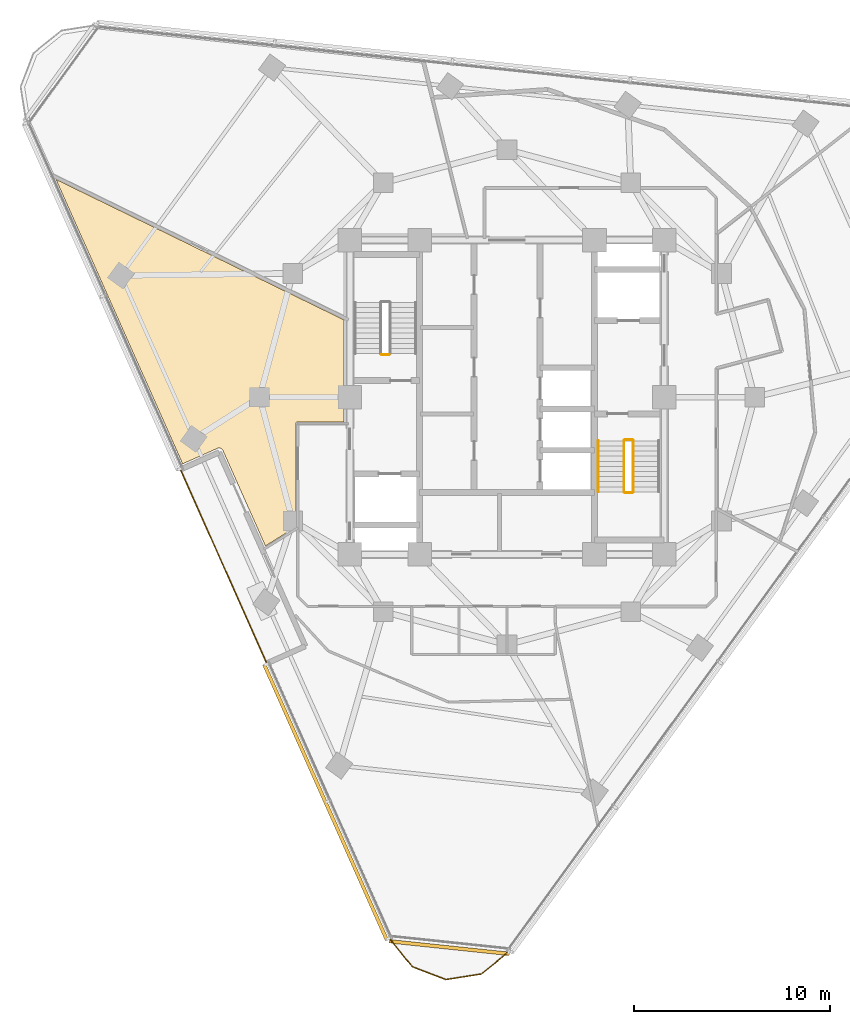
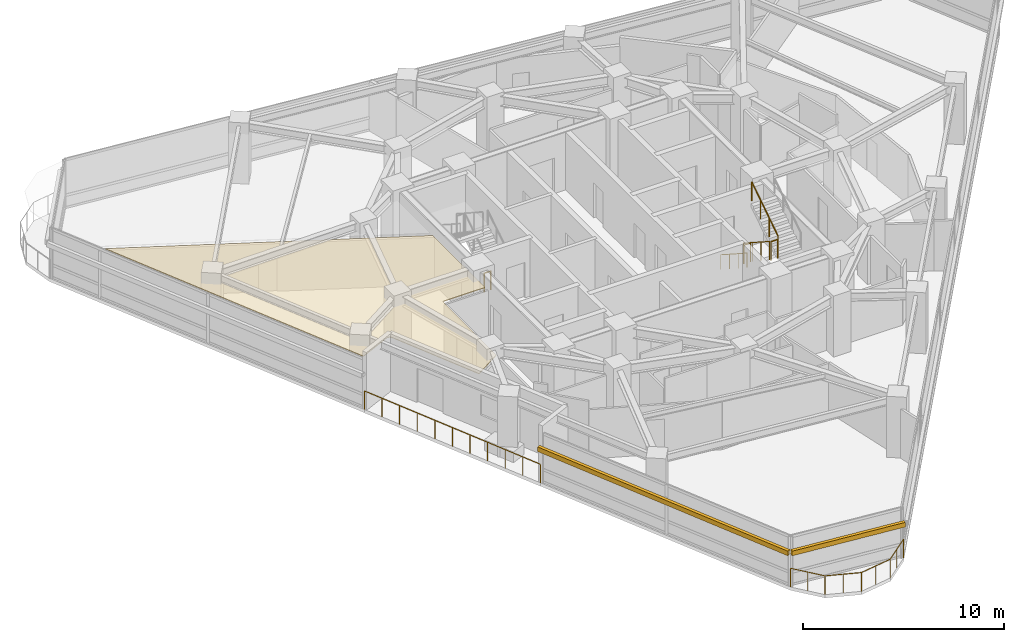
# One storey, part 12 of 14: 8 railings, 2 shading devices, 1 covering.
"""IFC4 building model written with IfcOpenShell, lengths in metres."""

from ifc_helpers import new_model, si_unit, direction, frame, origin, origin_2d, place, context, subcontext, project, spatial, polyline, rectangle, circle, outline, extrude, material, layer, layer_set, type_object, element, save


model = new_model("IFC4")

# Units and contexts
model_context = context("Model", 3, precision=1e-05, world=origin(), true_north=direction((0.0, 1.0)))
body_context = subcontext(model_context, "Body", "Model", "MODEL_VIEW")
ifc_project = project(units=[si_unit("LENGTHUNIT", "METRE"), si_unit("AREAUNIT", "SQUARE_METRE"), si_unit("VOLUMEUNIT", "CUBIC_METRE"), si_unit("PLANEANGLEUNIT", "RADIAN"), si_unit("MASSUNIT", "GRAM", prefix="KILO")], contexts=[model_context])

# Site, building, storey
site_placement = place(None, origin())
site = spatial("IfcSite", under=ifc_project, at=site_placement, CompositionType="ELEMENT")
building_placement = place(site_placement, origin())
building = spatial("IfcBuilding", under=site, at=building_placement, Name="Terralouvre Media Tower", CompositionType="ELEMENT")
storey_placement = place(building_placement, frame((0.0, 0.0, 226.300048828125)))
storey = spatial("IfcBuildingStorey", under=building, at=storey_placement, Name="L58", CompositionType="ELEMENT", Elevation=226.300048828125)

# Covering
ifc_material_1 = material(Name="Perforated aluminium acoustic ceiling baffle", Category="aluminium")
ifc_layer_1 = layer(ifc_material_1, 0.0400390625, Name="Perforated Acoustic Metal Tile Ceiling CL-AC1")
ifc_layer_set_1 = layer_set([ifc_layer_1], Name="Perforated aluminium acoustic ceiling baffle")
covering_type = type_object("IfcCoveringType", Name="Perforated Acoustic Metal Tile Ceiling CL-AC1", PredefinedType="CEILING", material=ifc_layer_set_1)
covering_placement = place(storey_placement, frame((0.0, 0.0, 2.97998046875), z_axis=(0.0, 0.0, 1.0), x_axis=(0.587785252292, 0.809016994375, 0.0)))
element("IfcCovering", 1, at=covering_placement, inside=storey, type_object=covering_type, Name="L58 Network Executive Boardroom 9 Acoustic Ceiling", PredefinedType="CEILING", context=body_context, shape_type="SweptSolid", body=[
    extrude(outline(polyline([(-7.410888671875, 7.9033203125), (-7.402587890625, 7.90869140625), (-7.39404296875, 7.913330078125), (-7.384765625, 7.9169921875), (-7.37548828125, 7.919677734375), (-7.36572265625, 7.921630859375), (-7.35595703125, 7.92236328125), (-7.34619140625, 7.92236328125), (-7.33642578125, 7.92138671875), (-7.326904296875, 7.919189453125), (-7.317626953125, 7.916259765625), (-7.308349609375, 7.912353515625), (-7.2998046875, 7.90771484375), (-7.291748046875, 7.90234375), (-7.2841796875, 7.89599609375), (-7.27734375, 7.888916015625), (-7.271240234375, 7.88134765625), (-5.895751953125, 5.98828125), (-1.69580078125, 9.039794921875), (-4.525634765625, 25.0908203125), (-12.44873046875, 11.366943359375), (-10.777587890625, 10.402587890625), (-10.771484375, 10.39892578125), (-10.76171875, 10.392333984375), (-10.755126953125, 10.387451171875), (-10.746337890625, 10.38037109375), (-10.73876953125, 10.37353515625), (-10.72998046875, 10.364990234375), (-10.724365234375, 10.359130859375), (-10.716552734375, 10.349853515625), (-10.71142578125, 10.343505859375), (-10.704345703125, 10.333740234375), (-10.69921875, 10.326171875), (-10.693603515625, 10.316650390625), (-10.68994140625, 10.309814453125), (-10.686767578125, 10.302734375), (-10.68212890625, 10.291259765625), (-10.6787109375, 10.281494140625), (-10.675537109375, 10.270263671875), (-10.67236328125, 10.259033203125), (-10.670166015625, 10.249755859375), (-10.6689453125, 10.240234375), (-10.66796875, 10.228759765625), (-10.66748046875, 10.2216796875), (-10.667236328125, 10.20947265625), (-10.667724609375, 10.19775390625), (-10.6689453125, 10.185791015625), (-10.669677734375, 10.179931640625), (-10.67138671875, 10.1689453125), (-10.674072265625, 10.15673828125), (-10.67724609375, 10.145751953125), (-10.681396484375, 10.134521484375), (-10.68603515625, 10.123779296875), (-10.6875, 10.119873046875), (-10.69287109375, 10.108642578125), (-10.69677734375, 10.1015625), (-13.352783203125, 5.502685546875), (-11.657958984375, 4.81787109375), (-7.410888671875, 7.9033203125)])), origin(), (0.0, 0.0, 1.0), 0.0400390625),
])

# Railings
ifc_material_2 = material(Name="Stainless steel 316 handrail and balustrade", Category="steel")
ifc_layer_2 = layer(ifc_material_2, 0.06005859375, Name="Roof Edge Safety Guardrail GR-ROOF1")
ifc_layer_set_2 = layer_set([ifc_layer_2], Name="Stainless steel 316 handrail and balustrade")
railing_type_1 = type_object("IfcRailingType", Name="Roof Edge Safety Guardrail GR-ROOF1", PredefinedType="GUARDRAIL", material=ifc_layer_set_2)
railing_1_placement = place(storey_placement, frame((-16.625244140625, -3.68017578125, 0.0)))
element("IfcRailing", 2, at=railing_1_placement, inside=storey, type_object=railing_type_1, Name="L58 SG Outer Edge Glass Balustrade", PredefinedType="GUARDRAIL", context=body_context, shape_type="SweptSolid", body=[
    extrude(circle(Radius=0.02392578125, at=origin_2d()), frame((0.0, 0.0, 1.1259765625), z_axis=(0.406736136359, -0.913545683247, 0.0), x_axis=(0.913545683247, 0.406736136359, 0.0)), (0.0, 0.0, 1.0), 10.80029296875),
    extrude(circle(Radius=0.02099609375, at=origin_2d()), origin(), (0.0, 0.0, 1.0), 1.101806640625),
    extrude(circle(Radius=0.02099609375, at=origin_2d()), frame((0.439208984375, -0.986572265625, 0.0)), (0.0, 0.0, 1.0), 1.101806640625),
    extrude(circle(Radius=0.02099609375, at=origin_2d()), frame((0.878662109375, -1.973388671875, 0.0)), (0.0, 0.0, 1.0), 1.101806640625),
    extrude(circle(Radius=0.02099609375, at=origin_2d()), frame((1.31787109375, -2.9599609375, 0.0)), (0.0, 0.0, 1.0), 1.101806640625),
    extrude(circle(Radius=0.02099609375, at=origin_2d()), frame((1.757080078125, -3.946533203125, 0.0)), (0.0, 0.0, 1.0), 1.101806640625),
    extrude(circle(Radius=0.02099609375, at=origin_2d()), frame((2.1962890625, -4.93310546875, 0.0)), (0.0, 0.0, 1.0), 1.101806640625),
    extrude(circle(Radius=0.02099609375, at=origin_2d()), frame((2.6357421875, -5.919921875, 0.0)), (0.0, 0.0, 1.0), 1.101806640625),
    extrude(circle(Radius=0.02099609375, at=origin_2d()), frame((3.074951171875, -6.906494140625, 0.0)), (0.0, 0.0, 1.0), 1.101806640625),
    extrude(circle(Radius=0.02099609375, at=origin_2d()), frame((3.51416015625, -7.89306640625, 0.0)), (0.0, 0.0, 1.0), 1.101806640625),
    extrude(circle(Radius=0.02099609375, at=origin_2d()), frame((3.95361328125, -8.8798828125, 0.0)), (0.0, 0.0, 1.0), 1.101806640625),
    extrude(circle(Radius=0.02099609375, at=origin_2d()), frame((4.392822265625, -9.866455078125, 0.0)), (0.0, 0.0, 1.0), 1.101806640625),
])
railing_2_placement = place(storey_placement, frame((-5.98583984375, -27.5546875, 0.0)))
element("IfcRailing", 3, at=railing_2_placement, inside=storey, type_object=railing_type_1, Name="L58 Wind-Corner Perimeter Safety Guardrail C0", PredefinedType="GUARDRAIL", context=body_context, shape_type="SweptSolid", body=[
    extrude(circle(Radius=0.02099609375, at=origin_2d()), frame((0.0, 0.0, 1.12890625), z_axis=(0.629125588714, -0.777303668861, 0.0), x_axis=(0.777303668861, 0.629125588714, 0.0)), (0.0, 0.0, 1.0), 1.837158203125),
    extrude(circle(Radius=0.02099609375, at=origin_2d()), frame((1.15576171875, -1.427978515625, 1.12890625), z_axis=(0.933530480619, -0.358498035915, 0.0), x_axis=(0.358498035915, 0.933530480619, 0.0)), (0.0, 0.0, 1.0), 1.836669921875),
    extrude(circle(Radius=0.02099609375, at=origin_2d()), frame((2.870361328125, -2.08642578125, 1.12890625), z_axis=(0.987666866591, 0.156569986387, 0.0), x_axis=(-0.156569986387, 0.987666866591, 0.0)), (0.0, 0.0, 1.0), 1.8369140625),
    extrude(circle(Radius=0.02099609375, at=origin_2d()), frame((4.6845703125, -1.798828125, 1.12890625), z_axis=(0.777015769995, 0.629481130122, 0.0), x_axis=(-0.629481130122, 0.777015769995, 0.0)), (0.0, 0.0, 1.0), 1.8369140625),
    extrude(circle(Radius=0.01904296875, at=origin_2d()), origin(), (0.0, 0.0, 1.0), 1.10791015625),
    extrude(circle(Radius=0.01904296875, at=origin_2d()), frame((0.577880859375, -0.7138671875, 0.0)), (0.0, 0.0, 1.0), 1.10791015625),
    extrude(circle(Radius=0.01904296875, at=origin_2d()), frame((1.15576171875, -1.427978515625, 0.0)), (0.0, 0.0, 1.0), 1.10791015625),
    extrude(circle(Radius=0.01904296875, at=origin_2d()), frame((2.01318359375, -1.75732421875, 0.0)), (0.0, 0.0, 1.0), 1.10791015625),
    extrude(circle(Radius=0.01904296875, at=origin_2d()), frame((2.870361328125, -2.08642578125, 0.0)), (0.0, 0.0, 1.0), 1.10791015625),
    extrude(circle(Radius=0.01904296875, at=origin_2d()), frame((3.77734375, -1.942626953125, 0.0)), (0.0, 0.0, 1.0), 1.10791015625),
    extrude(circle(Radius=0.01904296875, at=origin_2d()), frame((4.6845703125, -1.798828125, 0.0)), (0.0, 0.0, 1.0), 1.10791015625),
    extrude(circle(Radius=0.01904296875, at=origin_2d()), frame((5.398193359375, -1.220703125, 0.0)), (0.0, 0.0, 1.0), 1.10791015625),
    extrude(circle(Radius=0.01904296875, at=origin_2d()), frame((6.11181640625, -0.642578125, 0.0)), (0.0, 0.0, 1.0), 1.10791015625),
])
ifc_material_3 = material(Name="Stainless steel 316 handrail and balustrade", Category="steel")
ifc_layer_3 = layer(ifc_material_3, 0.050048828125, Name="Stair Flight Wall Handrail HR-INT1")
ifc_layer_set_3 = layer_set([ifc_layer_3], Name="Stainless steel 316 handrail and balustrade")
railing_type_2 = type_object("IfcRailingType", Name="Stair Flight Wall Handrail HR-INT1", PredefinedType="HANDRAIL", material=ifc_layer_set_3)
railing_3_placement = place(storey_placement, frame((4.64990234375, -2.219970703125, 0.168212890625)))
element("IfcRailing", 4, at=railing_3_placement, inside=storey, type_object=railing_type_2, Name="L58 ST-02 stair handrail 1", PredefinedType="HANDRAIL", context=body_context, shape_type="SweptSolid", body=[
    extrude(circle(Radius=0.02392578125, at=origin_2d()), frame((0.0, 0.0, 0.8759765625), z_axis=(0.0, -0.839684365666, 0.543074733399), x_axis=(1.0, 0.0, 0.0)), (0.0, 0.0, 1.0), 3.096435546875),
    extrude(circle(Radius=0.02099609375, at=origin_2d()), origin(), (0.0, 0.0, 1.0), 0.851806640625),
    extrude(circle(Radius=0.02099609375, at=origin_2d()), frame((0.0, -0.86669921875, 0.560546875)), (0.0, 0.0, 1.0), 0.851806640625),
    extrude(circle(Radius=0.02099609375, at=origin_2d()), frame((0.0, -1.7333984375, 1.12109375)), (0.0, 0.0, 1.0), 0.851806640625),
    extrude(circle(Radius=0.02099609375, at=origin_2d()), frame((0.0, -2.60009765625, 1.681640625)), (0.0, 0.0, 1.0), 0.851806640625),
])
ifc_material_4 = material(Name="Stainless steel 316 handrail and balustrade", Category="steel")
ifc_layer_4 = layer(ifc_material_4, 0.050048828125, Name="Stairwell Safety Guardrail GR-INT1")
ifc_layer_set_4 = layer_set([ifc_layer_4], Name="Stainless steel 316 handrail and balustrade")
railing_type_3 = type_object("IfcRailingType", Name="Stairwell Safety Guardrail GR-INT1", PredefinedType="GUARDRAIL", material=ifc_layer_set_4)
railing_4_placement = place(storey_placement, frame((-6.0, 2.169921875, 0.0)))
element("IfcRailing", 5, at=railing_4_placement, inside=storey, type_object=railing_type_3, Name="L58 ST-01 stair guard 4", PredefinedType="GUARDRAIL", context=body_context, shape_type="SweptSolid", body=[
    extrude(circle(Radius=0.02392578125, at=origin_2d()), frame((0.0, 0.0, 1.1259765625), z_axis=(-1.0, 0.0, 0.0), x_axis=(0.0, -1.0, 0.0)), (0.0, 0.0, 1.0), 0.3798828125),
    extrude(circle(Radius=0.02099609375, at=origin_2d()), origin(), (0.0, 0.0, 1.0), 1.101806640625),
    extrude(circle(Radius=0.02099609375, at=origin_2d()), frame((-0.3798828125, 0.0, 0.0)), (0.0, 0.0, 1.0), 1.101806640625),
])
railing_5_placement = place(storey_placement, frame((5.949951171875, -2.219970703125, 0.168212890625)))
element("IfcRailing", 6, at=railing_5_placement, inside=storey, type_object=railing_type_3, Name="L58 ST-02 stair guard 1", PredefinedType="GUARDRAIL", context=body_context, shape_type="SweptSolid", body=[
    extrude(circle(Radius=0.02392578125, at=origin_2d()), frame((0.0, 0.0, 1.1259765625), z_axis=(0.0, -0.839684365666, 0.543074733399), x_axis=(1.0, 0.0, 0.0)), (0.0, 0.0, 1.0), 3.096435546875),
    extrude(circle(Radius=0.02099609375, at=origin_2d()), origin(), (0.0, 0.0, 1.0), 1.101806640625),
    extrude(circle(Radius=0.02099609375, at=origin_2d()), frame((0.0, -0.86669921875, 0.560546875)), (0.0, 0.0, 1.0), 1.101806640625),
    extrude(circle(Radius=0.02099609375, at=origin_2d()), frame((0.0, -1.7333984375, 1.12109375)), (0.0, 0.0, 1.0), 1.101806640625),
    extrude(circle(Radius=0.02099609375, at=origin_2d()), frame((0.0, -2.60009765625, 1.681640625)), (0.0, 0.0, 1.0), 1.101806640625),
])
railing_6_placement = place(storey_placement, frame((6.0, -4.8701171875, 1.849853515625)))
element("IfcRailing", 7, at=railing_6_placement, inside=storey, type_object=railing_type_3, Name="L58 ST-02 stair guard 2", PredefinedType="GUARDRAIL", context=body_context, shape_type="SweptSolid", body=[
    extrude(circle(Radius=0.02392578125, at=origin_2d()), frame((0.0, 0.0, 1.1259765625), z_axis=(1.0, 0.0, 0.0), x_axis=(0.0, 1.0, 0.0)), (0.0, 0.0, 1.0), 0.3798828125),
    extrude(circle(Radius=0.02099609375, at=origin_2d()), origin(), (0.0, 0.0, 1.0), 1.101806640625),
    extrude(circle(Radius=0.02099609375, at=origin_2d()), frame((0.3798828125, 0.0, 0.0)), (0.0, 0.0, 1.0), 1.101806640625),
])
railing_7_placement = place(storey_placement, frame((6.429931640625, -4.820068359375, 2.01806640625)))
element("IfcRailing", 8, at=railing_7_placement, inside=storey, type_object=railing_type_3, Name="L58 ST-02 stair guard 3", PredefinedType="GUARDRAIL", context=body_context, shape_type="SweptSolid", body=[
    extrude(circle(Radius=0.02392578125, at=origin_2d()), frame((0.0, 0.0, 1.1259765625), z_axis=(0.0, 0.839648411786, 0.543130320075), x_axis=(-1.0, 0.0, 0.0)), (0.0, 0.0, 1.0), 3.0966796875),
    extrude(circle(Radius=0.02099609375, at=origin_2d()), origin(), (0.0, 0.0, 1.0), 1.101806640625),
    extrude(circle(Radius=0.02099609375, at=origin_2d()), frame((0.0, 0.86669921875, 0.560546875)), (0.0, 0.0, 1.0), 1.101806640625),
    extrude(circle(Radius=0.02099609375, at=origin_2d()), frame((0.0, 1.7333984375, 1.121337890625)), (0.0, 0.0, 1.0), 1.101806640625),
    extrude(circle(Radius=0.02099609375, at=origin_2d()), frame((0.0, 2.60009765625, 1.681884765625)), (0.0, 0.0, 1.0), 1.101806640625),
])
railing_8_placement = place(storey_placement, frame((6.0, -2.169921875, 0.0)))
element("IfcRailing", 9, at=railing_8_placement, inside=storey, type_object=railing_type_3, Name="L58 ST-02 stair guard 4", PredefinedType="GUARDRAIL", context=body_context, shape_type="SweptSolid", body=[
    extrude(circle(Radius=0.02392578125, at=origin_2d()), frame((0.0, 0.0, 1.1259765625), z_axis=(1.0, 0.0, 0.0), x_axis=(0.0, 1.0, 0.0)), (0.0, 0.0, 1.0), 0.3798828125),
    extrude(circle(Radius=0.02099609375, at=origin_2d()), origin(), (0.0, 0.0, 1.0), 1.101806640625),
    extrude(circle(Radius=0.02099609375, at=origin_2d()), frame((0.3798828125, 0.0, 0.0)), (0.0, 0.0, 1.0), 1.101806640625),
])

# Shading devices
ifc_material_5 = material(Name="Extruded terracotta baguette sunshade louvres", Category="masonry")
shading_device_type = type_object("IfcShadingDeviceType", Name="Terracotta Baguette Sunshade Louvre Screen TB-LV1", PredefinedType="USERDEFINED", material=ifc_material_5)
shading_device_1_placement = place(storey_placement, frame((-9.238525390625, -20.614990234375, 2.02392578125), z_axis=(0.0, 0.0, 1.0), x_axis=(0.406735819915, -0.913545824137, 0.0)))
element("IfcShadingDevice", 10, at=shading_device_1_placement, inside=storey, type_object=shading_device_type, Name="CW-L58-F2R Terracotta Baguette Sunshade Louvre", ObjectType="BAGUETTE", PredefinedType="USERDEFINED", context=body_context, shape_type="SweptSolid", body=[
    extrude(rectangle(XDim=15.35009765625, YDim=0.179931640625, at=origin_2d()), origin(), (0.0, 0.0, 1.0), 0.280029296875),
])
shading_device_2_placement = place(storey_placement, frame((-2.944091796875, -28.01025390625, 2.02392578125), z_axis=(0.0, 0.0, 1.0), x_axis=(0.994521944551, -0.104527995322, 0.0)))
element("IfcShadingDevice", 11, at=shading_device_2_placement, inside=storey, type_object=shading_device_type, Name="CW-L58-C0 Terracotta Baguette Sunshade Louvre", ObjectType="BAGUETTE", PredefinedType="USERDEFINED", context=body_context, shape_type="SweptSolid", body=[
    extrude(rectangle(XDim=6.148681640625, YDim=0.179931640625, at=origin_2d()), origin(), (0.0, 0.0, 1.0), 0.280029296875),
])

save(model, "model.ifc")
